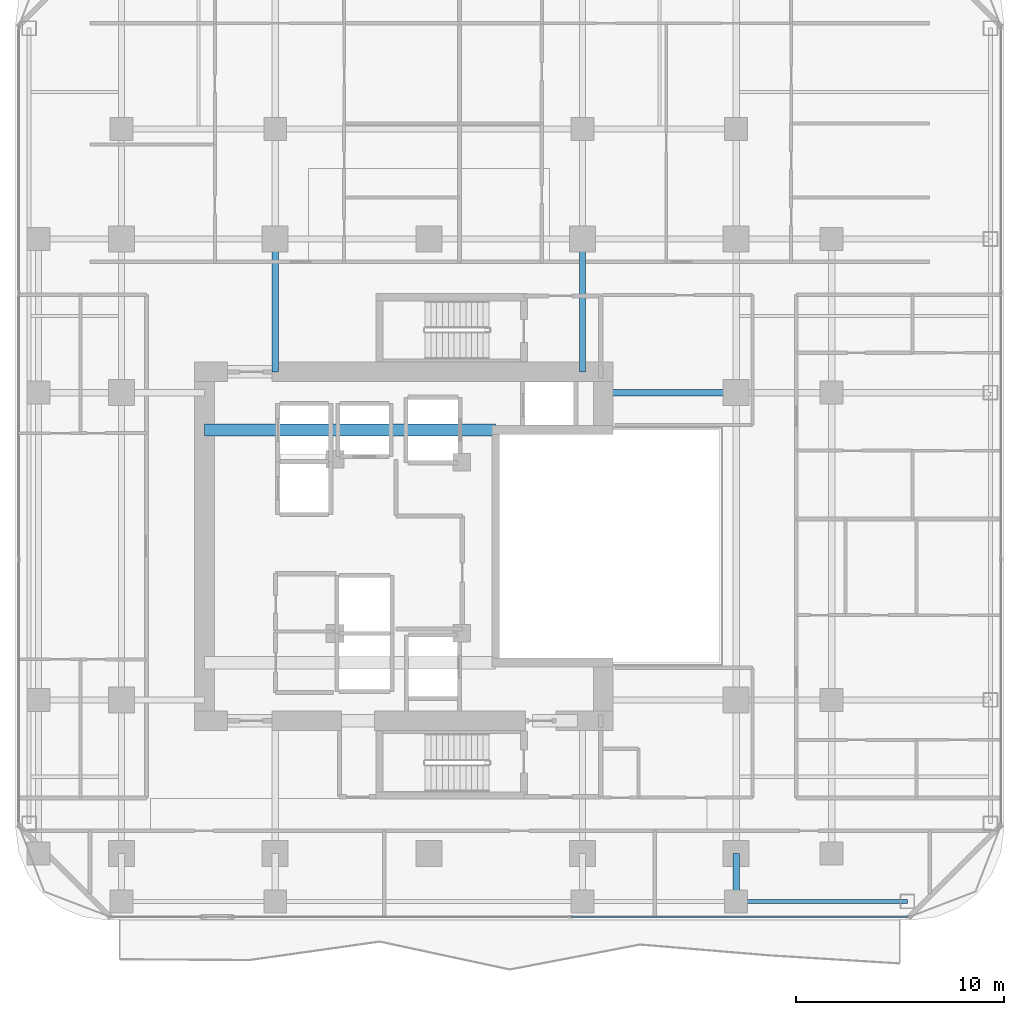
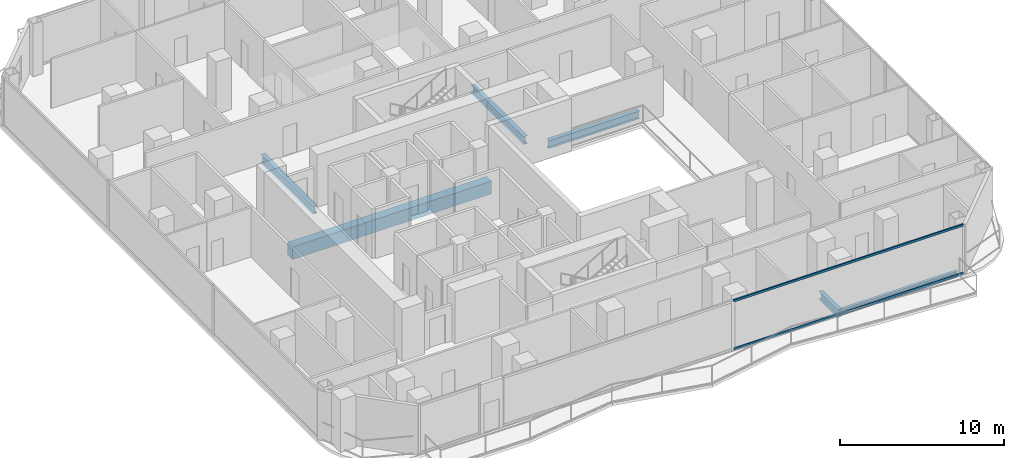
# One storey, part 8 of 27: 6 beams, 2 members, 1 element without a shape of its own.
"""IFC4 building model written with IfcOpenShell, lengths in metres."""

from ifc_helpers import new_model, si_unit, direction, frame, origin, origin_2d, place, context, subcontext, project, spatial, rectangle, hollow_rectangle, i_section, extrude, material, layer, layer_set, material_profile, profile_set, type_object, element, aggregate, save


model = new_model("IFC4")

# Units and contexts
model_context = context("Model", 3, precision=1e-05, world=origin(), true_north=direction((0.0, 1.0)))
body_context = subcontext(model_context, "Body", "Model", "MODEL_VIEW")
ifc_project = project(units=[si_unit("LENGTHUNIT", "METRE"), si_unit("AREAUNIT", "SQUARE_METRE"), si_unit("VOLUMEUNIT", "CUBIC_METRE"), si_unit("PLANEANGLEUNIT", "RADIAN"), si_unit("MASSUNIT", "GRAM", prefix="KILO")], contexts=[model_context])

# Site, building, storey
site_placement = place(None, origin())
site = spatial("IfcSite", under=ifc_project, at=site_placement, CompositionType="ELEMENT")
building_placement = place(site_placement, origin())
building = spatial("IfcBuilding", under=site, at=building_placement, Name="Khorvyn Point Tower", CompositionType="ELEMENT")
storey_placement = place(building_placement, frame((0.0, 0.0, 129.0)))
storey = spatial("IfcBuildingStorey", under=building, at=storey_placement, Name="L32", CompositionType="ELEMENT", Elevation=129.0)

# Curtain wall, members
ifc_material_1 = material(Name="Anodised aluminium 6063-T6 and laminated Low-E glass", Category="aluminium")
ifc_layer = layer(ifc_material_1, 0.18994140625)
ifc_layer_set = layer_set([ifc_layer], Name="Stick-Built Acoustic Curtain Wall CW-SYS-03")
curtain_wall_type = type_object("IfcCurtainWallType", Name="Stick-Built Acoustic Curtain Wall CW-SYS-03", PredefinedType="NOTDEFINED", material=ifc_layer_set)
curtain_wall_placement = place(storey_placement, origin())
curtain_wall = element("IfcCurtainWall", 1, at=curtain_wall_placement, inside=storey, type_object=curtain_wall_type, Name="Curtain Wall", PredefinedType="NOTDEFINED")
ifc_material_2 = material(Name="Anodised aluminium 6063-T6", Category="aluminium")
ifc_material_profile_1 = material_profile(ifc_material_2, hollow_rectangle(XDim=0.10009765625, YDim=0.159912109375, WallThickness=0.00439453125, at=origin_2d()))
ifc_profile_set_1 = profile_set([ifc_material_profile_1], Name="Anodised aluminium 6063-T6 ALU-TRN-100x160")
member_type = type_object("IfcMemberType", Name="Anodised Aluminium 6063-T6 Transom ALU-TRN-100x160", PredefinedType="USERDEFINED", material=ifc_profile_set_1)
member_1_placement = place(storey_placement, frame((23.050048828125, -17.85009765625, 0.050048828125), z_axis=(-1.0, 0.0, 0.0), x_axis=(0.0, -1.0, 0.0)))
member_1 = element("IfcMember", 2, at=member_1_placement, type_object=member_type, Name="Transom", ObjectType="TRANSOM", PredefinedType="USERDEFINED", context=body_context, shape_type="SweptSolid", body=[
    extrude(hollow_rectangle(XDim=0.10009765625, YDim=0.159912109375, WallThickness=0.00439453125, at=origin_2d()), origin(), (0.0, 0.0, 1.0), 16.16162109375),
])
member_2_placement = place(storey_placement, frame((23.050048828125, -17.85009765625, 3.6298828125), z_axis=(-1.0, 0.0, 0.0), x_axis=(0.0, -1.0, 0.0)))
member_2 = element("IfcMember", 3, at=member_2_placement, type_object=member_type, Name="Transom", ObjectType="TRANSOM", PredefinedType="USERDEFINED", context=body_context, shape_type="SweptSolid", body=[
    extrude(hollow_rectangle(XDim=0.10009765625, YDim=0.159912109375, WallThickness=0.00439453125, at=origin_2d()), origin(), (0.0, 0.0, 1.0), 16.16162109375),
])
aggregate(curtain_wall, [member_1, member_2])

# Beams
ifc_material_3 = material(Name="Concrete C50/60", Category="concrete")
ifc_material_profile_2 = material_profile(ifc_material_3, rectangle(XDim=0.60009765625, YDim=0.949951171875, at=origin_2d()))
ifc_profile_set_2 = profile_set([ifc_material_profile_2], Name="Concrete C50/60 RC600x950")
beam_type_1 = type_object("IfcBeamType", Name="Concrete C50/60 Beam RC600x950", PredefinedType="BEAM", material=ifc_profile_set_2)
beam_1_placement = place(storey_placement, frame((-10.800048828125, 5.60009765625, -0.695068359375), z_axis=(1.0, 0.0, 0.0), x_axis=(0.0, 1.0, 0.0)))
element("IfcBeam", 4, at=beam_1_placement, inside=storey, type_object=beam_type_1, Name="L32 Core Internal Tie Girder N", PredefinedType="BEAM", context=body_context, shape_type="SweptSolid", body=[
    extrude(rectangle(XDim=0.60009765625, YDim=0.949951171875, at=origin_2d()), origin(), (0.0, 0.0, 1.0), 14.02001953125),
])
ifc_material_4 = material(Name="Steel S355", Category="steel")
ifc_material_profile_3 = material_profile(ifc_material_4, i_section(OverallWidth=0.300048828125, OverallDepth=0.587890625, WebThickness=0.011962890625, FlangeThickness=0.02001953125, at=origin_2d()))
ifc_profile_set_3 = profile_set([ifc_material_profile_3], Name="Steel S355 H588x300x12x20")
beam_type_2 = type_object("IfcBeamType", Name="Steel S355 Beam H588x300x12x20", PredefinedType="BEAM", material=ifc_profile_set_3)
beam_2_placement = place(storey_placement, frame((8.39990234375, 7.39990234375, -0.513916015625), z_axis=(1.0, 0.0, 0.0), x_axis=(0.0, 1.0, 0.0)))
element("IfcBeam", 5, at=beam_2_placement, inside=storey, type_object=beam_type_2, Name="Beam", PredefinedType="BEAM", context=body_context, shape_type="SweptSolid", body=[
    extrude(i_section(OverallWidth=0.300048828125, OverallDepth=0.587890625, WebThickness=0.011962890625, FlangeThickness=0.02001953125, at=origin_2d()), origin(), (0.0, 0.0, 1.0), 6.400146484375),
])
beam_3_placement = place(storey_placement, frame((14.800048828125, -17.10009765625, -0.513916015625), z_axis=(0.0, 1.0, 0.0), x_axis=(-1.0, 0.0, 0.0)))
element("IfcBeam", 6, at=beam_3_placement, inside=storey, type_object=beam_type_2, Name="Beam", PredefinedType="BEAM", context=body_context, shape_type="SweptSolid", body=[
    extrude(i_section(OverallWidth=0.300048828125, OverallDepth=0.587890625, WebThickness=0.011962890625, FlangeThickness=0.02001953125, at=origin_2d()), origin(), (0.0, 0.0, 1.0), 2.300048828125),
])
for number, where, z_axis, x_axis, name in (
    (7, (-7.39990234375, 8.39990234375, -0.513916015625), (0.0, 1.0, 0.0), (-1.0, 0.0, 0.0), "Beam"),
    (8, (7.39990234375, 8.39990234375, -0.513916015625), (0.0, 1.0, 0.0), (-1.0, 0.0, 0.0), "Beam"),
):
    element("IfcBeam", number, at=place(storey_placement, frame(where, z_axis=z_axis, x_axis=x_axis)), inside=storey, type_object=beam_type_2, Name=name, PredefinedType="BEAM", context=body_context, shape_type="SweptSolid", body=[
        extrude(i_section(OverallWidth=0.300048828125, OverallDepth=0.587890625, WebThickness=0.011962890625, FlangeThickness=0.02001953125, at=origin_2d()), origin(), (0.0, 0.0, 1.0), 6.400146484375),
    ])
ifc_material_profile_4 = material_profile(ifc_material_4, i_section(OverallWidth=0.199951171875, OverallDepth=0.449951171875, WebThickness=0.009033203125, FlangeThickness=0.013916015625, at=origin_2d()))
ifc_profile_set_4 = profile_set([ifc_material_profile_4], Name="Steel S355 H450x200x9x14")
beam_type_3 = type_object("IfcBeamType", Name="Steel S355 Spandrel H450x200x9x14", PredefinedType="SPANDREL", material=ifc_profile_set_4)
beam_4_placement = place(storey_placement, frame((14.800048828125, -17.10009765625, -0.445068359375), z_axis=(1.0, 0.0, 0.0), x_axis=(0.0, 1.0, 0.0)))
element("IfcBeam", 9, at=beam_4_placement, inside=storey, type_object=beam_type_3, Name="Beam", PredefinedType="SPANDREL", context=body_context, shape_type="SweptSolid", body=[
    extrude(i_section(OverallWidth=0.199951171875, OverallDepth=0.449951171875, WebThickness=0.009033203125, FlangeThickness=0.013916015625, at=origin_2d()), origin(), (0.0, 0.0, 1.0), 8.25),
])

save(model, "model.ifc")
